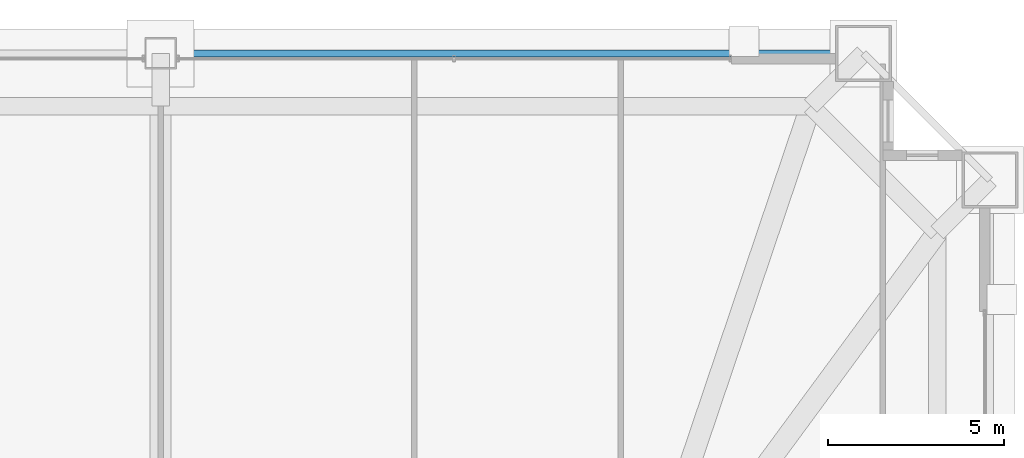
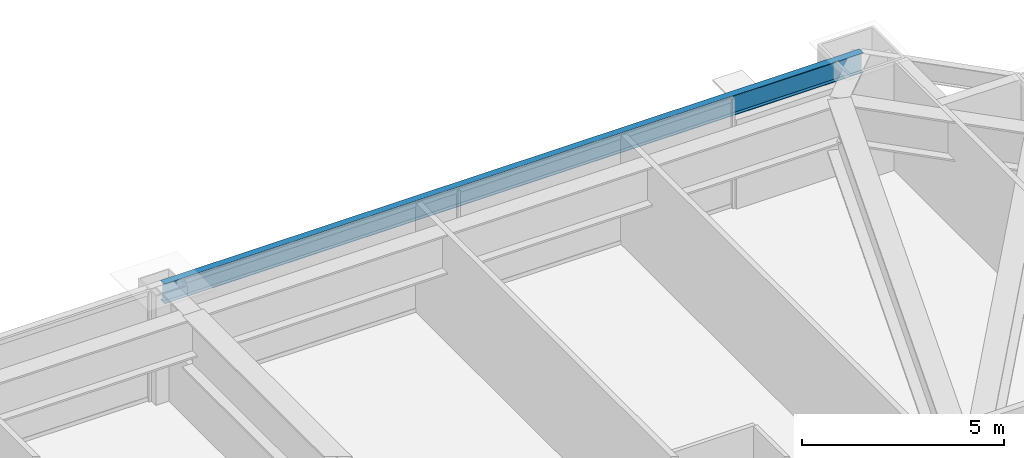
# One storey, part 38 of 45: 1 beam.
"""IFC4 building model written with IfcOpenShell, lengths in metres."""

from ifc_helpers import new_model, si_unit, direction, frame, origin, origin_2d, place, context, subcontext, project, spatial, i_section, extrude, source, transform, mapped, material, material_profile, profile_set, type_object, element, save


model = new_model("IFC4")

# Units and contexts
model_context = context("Model", 3, precision=1e-05, world=origin(), true_north=direction((0.0, 1.0)))
body_context = subcontext(model_context, "Body", "Model", "MODEL_VIEW")
ifc_project = project(units=[si_unit("LENGTHUNIT", "METRE"), si_unit("AREAUNIT", "SQUARE_METRE"), si_unit("VOLUMEUNIT", "CUBIC_METRE"), si_unit("PLANEANGLEUNIT", "RADIAN"), si_unit("MASSUNIT", "GRAM", prefix="KILO"), si_unit("THERMODYNAMICTEMPERATUREUNIT", "KELVIN"), si_unit("POWERUNIT", "WATT")], contexts=[model_context])

# Site, building, storey
site_placement = place(None, origin())
site = spatial("IfcSite", under=ifc_project, at=site_placement, CompositionType="ELEMENT")
building_placement = place(site_placement, origin())
building = spatial("IfcBuilding", under=site, at=building_placement, Name="Yuzanri Waterfront Tower", CompositionType="ELEMENT")
storey_placement = place(building_placement, frame((0.0, 0.0, 163.199951171875)))
storey = spatial("IfcBuildingStorey", under=building, at=storey_placement, Name="L43", CompositionType="ELEMENT", Elevation=163.199951171875)

# Beam
ifc_material = material(Name="Steel Q355B", Category="steel")
ifc_material_profile = material_profile(ifc_material, i_section(OverallWidth=0.199951171875, OverallDepth=0.60009765625, WebThickness=0.010986328125, FlangeThickness=0.01708984375, at=origin_2d()), Name="HN 600x200x11x17")
ifc_profile_set = profile_set([ifc_material_profile], Name="Steel Q355B")
beam_type = type_object("IfcBeamType", Name="Perimeter Spandrel Q355B HN 600x200", PredefinedType="SPANDREL", material=ifc_profile_set)
shared_shape = source(origin(), body_context, "Body", "SweptSolid", [
    extrude(i_section(OverallWidth=0.199951171875, OverallDepth=0.60009765625, WebThickness=0.010986328125, FlangeThickness=0.01708984375, at=origin_2d()), origin(), (0.0, 0.0, 1.0), 20.0),
])
beam_placement = place(storey_placement, frame((57.0, 49.39990234375, 3.0), z_axis=(-1.0, 0.0, 0.0), x_axis=(0.0, -1.0, 0.0)))
element("IfcBeam", 1, at=beam_placement, inside=storey, type_object=beam_type, Name="L43 Perimeter Spandrel N3-N2", PredefinedType="SPANDREL", context=body_context, shape_type="MappedRepresentation", body=[
    mapped(shared_shape, transform((0.0, 0.0, 0.0), scale=1.0)),
])

save(model, "model.ifc")
